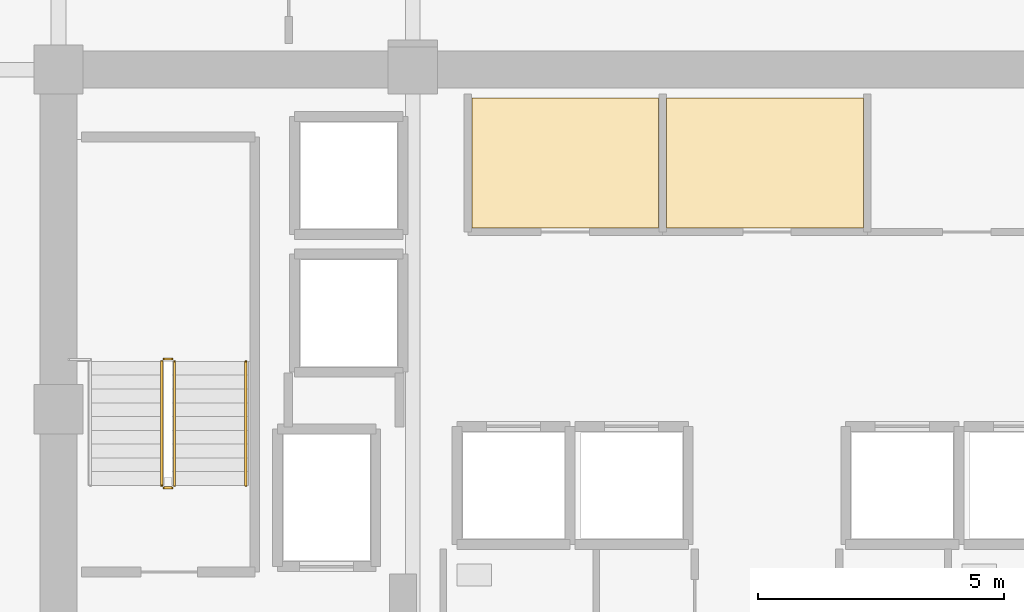
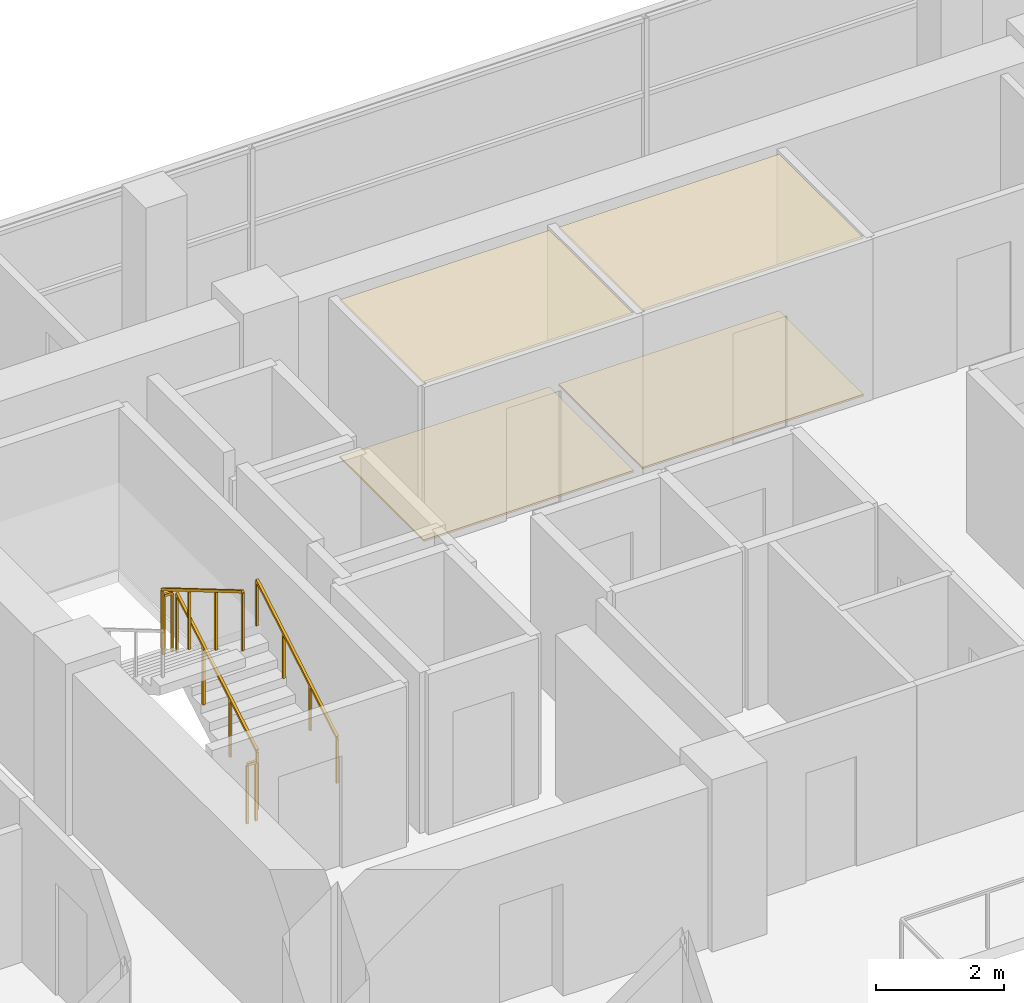
# One storey, part 20 of 22: 5 railings, 4 coverings.
"""IFC4 building model written with IfcOpenShell, lengths in metres."""

from ifc_helpers import new_model, si_unit, direction, frame, origin, origin_2d, place, context, subcontext, project, spatial, polyline, rectangle, outline, extrude, material, layer, layer_set, type_object, element, save


model = new_model("IFC4")

# Units and contexts
model_context = context("Model", 3, precision=1e-05, world=origin(), true_north=direction((0.0, 1.0)))
body_context = subcontext(model_context, "Body", "Model", "MODEL_VIEW")
ifc_project = project(units=[si_unit("LENGTHUNIT", "METRE"), si_unit("AREAUNIT", "SQUARE_METRE"), si_unit("VOLUMEUNIT", "CUBIC_METRE"), si_unit("PLANEANGLEUNIT", "RADIAN"), si_unit("MASSUNIT", "GRAM", prefix="KILO")], contexts=[model_context])

# Site, building, storey
site_placement = place(None, origin())
site = spatial("IfcSite", under=ifc_project, at=site_placement, CompositionType="ELEMENT")
building_placement = place(site_placement, origin())
building = spatial("IfcBuilding", under=site, at=building_placement, Name="Zarnakvel Exchange Tower", CompositionType="ELEMENT")
storey_placement = place(building_placement, frame((0.0, 0.0, 192.39990234375)))
storey = spatial("IfcBuildingStorey", under=building, at=storey_placement, Name="L54", CompositionType="ELEMENT", Elevation=192.39990234375)

# Coverings
ifc_material_1 = material(Name="Perforated Bronze Acoustic Metal Ceiling", Category="aluminium")
ifc_layer_1 = layer(ifc_material_1, 0.02001953125)
ifc_layer_set_1 = layer_set([ifc_layer_1], Name="Perforated Bronze Acoustic Metal Ceiling")
covering_type_1 = type_object("IfcCoveringType", Name="CLG-01", PredefinedType="CEILING", material=ifc_layer_set_1)
covering_1_placement = place(storey_placement, frame((0.0, 0.0, 3.01513671875)))
element("IfcCovering", 1, at=covering_1_placement, inside=storey, type_object=covering_type_1, Name="L54 Suspended Acoustic Ceiling (Clearing Records Office)", PredefinedType="CEILING", context=body_context, shape_type="SweptSolid", body=[
    extrude(outline(polyline([(-6.0, 12.919921875), (-2.199951171875, 12.919921875), (-2.199951171875, 10.280029296875), (-6.0, 10.280029296875), (-6.0, 12.919921875)])), origin(), (0.0, 0.0, 1.0), 0.02001953125),
])
covering_2_placement = place(storey_placement, frame((0.0, 0.0, 3.01513671875)))
element("IfcCovering", 2, at=covering_2_placement, inside=storey, type_object=covering_type_1, Name="L54 Suspended Acoustic Ceiling (Brokerage Filing Room)", PredefinedType="CEILING", context=body_context, shape_type="SweptSolid", body=[
    extrude(outline(polyline([(-2.0400390625, 12.919921875), (1.9599609375, 12.919921875), (1.9599609375, 10.280029296875), (-2.0400390625, 10.280029296875), (-2.0400390625, 12.919921875)])), origin(), (0.0, 0.0, 1.0), 0.02001953125),
])
ifc_material_2 = material(Name="Heavy-Duty Raised Access Floor Panel", Category="steel")
ifc_layer_2 = layer(ifc_material_2, 0.034912109375)
ifc_layer_set_2 = layer_set([ifc_layer_2], Name="Heavy-Duty Raised Access Floor Panel")
covering_type_2 = type_object("IfcCoveringType", Name="FLR-02", PredefinedType="FLOORING", material=ifc_layer_set_2)
covering_3_placement = place(storey_placement, origin())
element("IfcCovering", 3, at=covering_3_placement, inside=storey, type_object=covering_type_2, Name="L54 Floor Finish (Clearing Records Office)", PredefinedType="FLOORING", context=body_context, shape_type="SweptSolid", body=[
    extrude(outline(polyline([(-6.0, 12.919921875), (-2.199951171875, 12.919921875), (-2.199951171875, 10.280029296875), (-6.0, 10.280029296875), (-6.0, 12.919921875)])), origin(), (0.0, 0.0, 1.0), 0.03515625),
])
covering_4_placement = place(storey_placement, origin())
element("IfcCovering", 4, at=covering_4_placement, inside=storey, type_object=covering_type_2, Name="L54 Floor Finish (Brokerage Filing Room)", PredefinedType="FLOORING", context=body_context, shape_type="SweptSolid", body=[
    extrude(outline(polyline([(-2.0400390625, 12.919921875), (1.9599609375, 12.919921875), (1.9599609375, 10.280029296875), (-2.0400390625, 10.280029296875), (-2.0400390625, 12.919921875)])), origin(), (0.0, 0.0, 1.0), 0.03515625),
])

# Railings
ifc_material_3 = material(Name="Brushed Stainless Steel", Category="steel")
railing_type_1 = type_object("IfcRailingType", Name="HR-01", PredefinedType="HANDRAIL", material=ifc_material_3)
railing_1_placement = place(storey_placement, frame((-10.590087890625, 5.050048828125, 0.1650390625)))
element("IfcRailing", 5, at=railing_1_placement, inside=storey, type_object=railing_type_1, Name="L54 ST-01 stair handrail 1", PredefinedType="HANDRAIL", context=body_context, shape_type="SweptSolid", body=[
    extrude(rectangle(XDim=0.048095703125, YDim=0.048095703125, at=origin_2d()), frame((0.0, 0.0, 0.8759765625), z_axis=(0.0, 0.86152411907, 0.507716645641), x_axis=(-1.0, 0.0, 0.0)), (0.0, 0.0, 1.0), 2.925048828125),
    extrude(rectangle(XDim=0.0419921875, YDim=0.0419921875, at=origin_2d()), origin(), (0.0, 0.0, 1.0), 0.851806640625),
    extrude(rectangle(XDim=0.0419921875, YDim=0.0419921875, at=origin_2d()), frame((0.0, 0.840087890625, 0.4951171875)), (0.0, 0.0, 1.0), 0.851806640625),
    extrude(rectangle(XDim=0.0419921875, YDim=0.0419921875, at=origin_2d()), frame((0.0, 1.679931640625, 0.989990234375)), (0.0, 0.0, 1.0), 0.851806640625),
    extrude(rectangle(XDim=0.0419921875, YDim=0.0419921875, at=origin_2d()), frame((0.0, 2.52001953125, 1.485107421875)), (0.0, 0.0, 1.0), 0.851806640625),
])
ifc_material_4 = material(Name="Architectural Bronze Anodised Aluminium", Category="aluminium")
railing_type_2 = type_object("IfcRailingType", Name="SG-01", PredefinedType="GUARDRAIL", material=ifc_material_4)
railing_2_placement = place(storey_placement, frame((-12.0400390625, 5.050048828125, 0.1650390625)))
element("IfcRailing", 6, at=railing_2_placement, inside=storey, type_object=railing_type_2, Name="L54 ST-01 stair guard 1", PredefinedType="GUARDRAIL", context=body_context, shape_type="SweptSolid", body=[
    extrude(rectangle(XDim=0.048095703125, YDim=0.048095703125, at=origin_2d()), frame((0.0, 0.0, 1.1259765625), z_axis=(0.0, 0.86152411907, 0.507716645641), x_axis=(-1.0, 0.0, 0.0)), (0.0, 0.0, 1.0), 2.925048828125),
    extrude(rectangle(XDim=0.0419921875, YDim=0.0419921875, at=origin_2d()), origin(), (0.0, 0.0, 1.0), 1.101806640625),
    extrude(rectangle(XDim=0.0419921875, YDim=0.0419921875, at=origin_2d()), frame((0.0, 0.840087890625, 0.4951171875)), (0.0, 0.0, 1.0), 1.101806640625),
    extrude(rectangle(XDim=0.0419921875, YDim=0.0419921875, at=origin_2d()), frame((0.0, 1.679931640625, 0.989990234375)), (0.0, 0.0, 1.0), 1.101806640625),
    extrude(rectangle(XDim=0.0419921875, YDim=0.0419921875, at=origin_2d()), frame((0.0, 2.52001953125, 1.485107421875)), (0.0, 0.0, 1.0), 1.101806640625),
])
railing_3_placement = place(storey_placement, frame((-12.090087890625, 7.6201171875, 1.650146484375)))
element("IfcRailing", 7, at=railing_3_placement, inside=storey, type_object=railing_type_2, Name="L54 ST-01 stair guard 2", PredefinedType="GUARDRAIL", context=body_context, shape_type="SweptSolid", body=[
    extrude(rectangle(XDim=0.048095703125, YDim=0.048095703125, at=origin_2d()), frame((0.0, 0.0, 1.1259765625), z_axis=(-1.0, 0.0, 0.0), x_axis=(0.0, -1.0, 0.0)), (0.0, 0.0, 1.0), 0.159912109375),
    extrude(rectangle(XDim=0.0419921875, YDim=0.0419921875, at=origin_2d()), origin(), (0.0, 0.0, 1.0), 1.101806640625),
    extrude(rectangle(XDim=0.0419921875, YDim=0.0419921875, at=origin_2d()), frame((-0.159912109375, 0.0, 0.0)), (0.0, 0.0, 1.0), 1.101806640625),
])
railing_4_placement = place(storey_placement, frame((-12.300048828125, 7.570068359375, 1.815185546875)))
element("IfcRailing", 8, at=railing_4_placement, inside=storey, type_object=railing_type_2, Name="L54 ST-01 stair guard 3", PredefinedType="GUARDRAIL", context=body_context, shape_type="SweptSolid", body=[
    extrude(rectangle(XDim=0.048095703125, YDim=0.048095703125, at=origin_2d()), frame((0.0, 0.0, 1.1259765625), z_axis=(0.0, -0.861560626758, 0.507654692109), x_axis=(1.0, 0.0, 0.0)), (0.0, 0.0, 1.0), 2.925048828125),
    extrude(rectangle(XDim=0.0419921875, YDim=0.0419921875, at=origin_2d()), origin(), (0.0, 0.0, 1.0), 1.101806640625),
    extrude(rectangle(XDim=0.0419921875, YDim=0.0419921875, at=origin_2d()), frame((0.0, -0.840087890625, 0.494873046875)), (0.0, 0.0, 1.0), 1.101806640625),
    extrude(rectangle(XDim=0.0419921875, YDim=0.0419921875, at=origin_2d()), frame((0.0, -1.679931640625, 0.989990234375)), (0.0, 0.0, 1.0), 1.101806640625),
    extrude(rectangle(XDim=0.0419921875, YDim=0.0419921875, at=origin_2d()), frame((0.0, -2.52001953125, 1.48486328125)), (0.0, 0.0, 1.0), 1.101806640625),
])
railing_5_placement = place(storey_placement, frame((-12.090087890625, 5.0, 0.0)))
element("IfcRailing", 9, at=railing_5_placement, inside=storey, type_object=railing_type_2, Name="L54 ST-01 stair guard 4", PredefinedType="GUARDRAIL", context=body_context, shape_type="SweptSolid", body=[
    extrude(rectangle(XDim=0.048095703125, YDim=0.048095703125, at=origin_2d()), frame((0.0, 0.0, 1.1259765625), z_axis=(-1.0, 0.0, 0.0), x_axis=(0.0, -1.0, 0.0)), (0.0, 0.0, 1.0), 0.159912109375),
    extrude(rectangle(XDim=0.0419921875, YDim=0.0419921875, at=origin_2d()), origin(), (0.0, 0.0, 1.0), 1.101806640625),
    extrude(rectangle(XDim=0.0419921875, YDim=0.0419921875, at=origin_2d()), frame((-0.159912109375, 0.0, 0.0)), (0.0, 0.0, 1.0), 1.101806640625),
])

save(model, "model.ifc")
